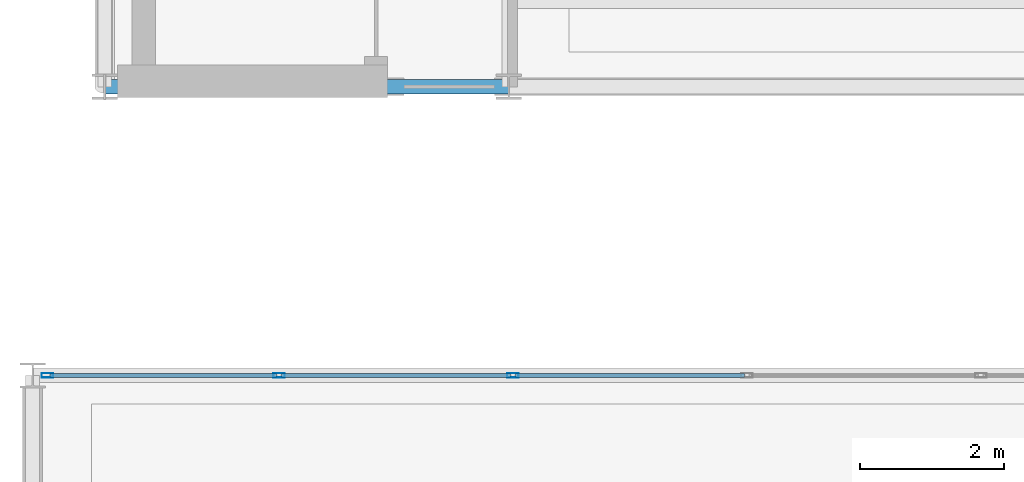
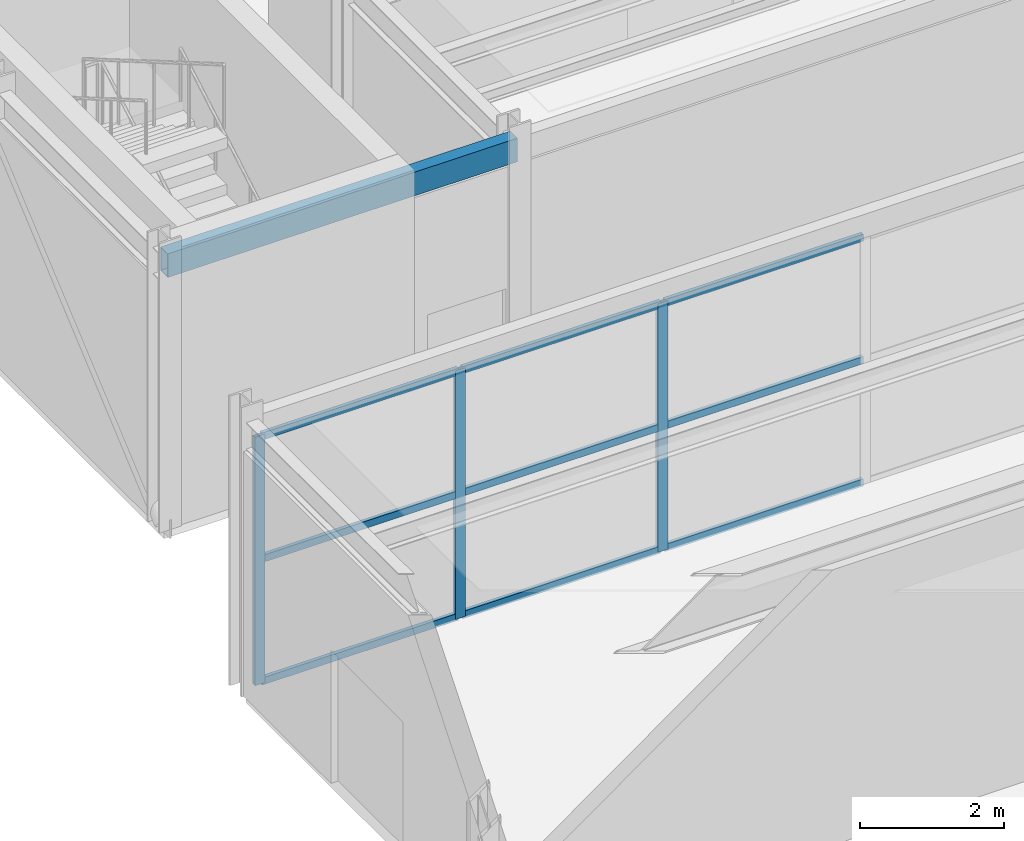
# One storey, part 19 of 144: 12 members, 1 beam, 1 element without a shape of its own.
"""IFC4 building model written with IfcOpenShell, lengths in metres."""

from ifc_helpers import new_model, si_unit, direction, frame, origin, origin_2d, place, context, subcontext, project, spatial, hollow_rectangle, extrude, material, material_profile, profile_set, type_object, element, aggregate, save


model = new_model("IFC4")

# Units and contexts
model_context = context("Model", 3, precision=1e-05, world=origin(), true_north=direction((0.0, 1.0)))
body_context = subcontext(model_context, "Body", "Model", "MODEL_VIEW")
ifc_project = project(units=[si_unit("LENGTHUNIT", "METRE"), si_unit("AREAUNIT", "SQUARE_METRE"), si_unit("VOLUMEUNIT", "CUBIC_METRE"), si_unit("PLANEANGLEUNIT", "RADIAN"), si_unit("MASSUNIT", "GRAM", prefix="KILO")], contexts=[model_context])

# Site, building, storey
site_placement = place(None, origin())
site = spatial("IfcSite", under=ifc_project, at=site_placement, CompositionType="ELEMENT")
building_placement = place(site_placement, origin())
building = spatial("IfcBuilding", under=site, at=building_placement, Name="Karori Crest Natural Sciences Institute", CompositionType="ELEMENT")
storey_placement = place(building_placement, origin())
storey = spatial("IfcBuildingStorey", under=building, at=storey_placement, Name="L00", CompositionType="ELEMENT", Elevation=0.0)

# Beam
ifc_material_1 = material(Name="Hollow structural steel AS/NZS 1163 Grade C350", Category="steel")
ifc_material_profile_1 = material_profile(ifc_material_1, hollow_rectangle(XDim=0.199951171875, YDim=0.39990234375, WallThickness=0.012451171875, at=origin_2d()), Name="RHS400x200x12.5")
ifc_profile_set_1 = profile_set([ifc_material_profile_1], Name="Hollow structural steel AS/NZS 1163 Grade C350")
beam_type = type_object("IfcBeamType", Name="BT-14", PredefinedType="SPANDREL", material=ifc_profile_set_1)
beam_placement = place(storey_placement, frame((1.800048828125, 31.199951171875, 4.419921875), z_axis=(1.0, 0.0, 0.0), x_axis=(0.0, 1.0, 0.0)))
element("IfcBeam", 1, at=beam_placement, inside=storey, type_object=beam_type, Name="Beam B-0940", PredefinedType="SPANDREL", context=body_context, shape_type="SweptSolid", body=[
    extrude(hollow_rectangle(XDim=0.199951171875, YDim=0.39990234375, WallThickness=0.012451171875, at=origin_2d()), origin(), (0.0, 0.0, 1.0), 5.599853515625),
])

# Curtain wall, members
ifc_material_2 = material(Name="Anodised architectural aluminium 6063-T6", Category="aluminium")
curtain_wall_type = type_object("IfcCurtainWallType", Name="CWT-16", PredefinedType="NOTDEFINED", material=ifc_material_2)
curtain_wall_placement = place(storey_placement, origin())
curtain_wall = element("IfcCurtainWall", 2, at=curtain_wall_placement, inside=storey, type_object=curtain_wall_type, Name="Curtain wall CW-0251", PredefinedType="NOTDEFINED")
ifc_material_profile_2 = material_profile(ifc_material_2, hollow_rectangle(XDim=0.06494140625, YDim=0.159912109375, WallThickness=0.00390625, at=origin_2d()), Name="CWM160x65x4")
ifc_profile_set_2 = profile_set([ifc_material_profile_2], Name="Anodised architectural aluminium 6063-T6")
member_type_1 = type_object("IfcMemberType", Name="CWM-01", PredefinedType="MULLION", material=ifc_profile_set_2)
member_1_placement = place(storey_placement, frame((1.005615234375, 27.199951171875, 0.0), z_axis=(0.0, 0.0, 1.0), x_axis=(0.0, 1.0, 0.0)))
member_1 = element("IfcMember", 3, at=member_1_placement, type_object=member_type_1, Name="CW-0251 mullion 1", PredefinedType="MULLION", context=body_context, shape_type="SweptSolid", body=[
    extrude(hollow_rectangle(XDim=0.06494140625, YDim=0.159912109375, WallThickness=0.00390625, at=origin_2d()), origin(), (0.0, 0.0, 1.0), 4.205078125),
])
member_2_placement = place(storey_placement, frame((4.21533203125, 27.199951171875, 0.0), z_axis=(0.0, 0.0, 1.0), x_axis=(0.0, 1.0, 0.0)))
member_2 = element("IfcMember", 4, at=member_2_placement, type_object=member_type_1, Name="CW-0251 mullion 2", PredefinedType="MULLION", context=body_context, shape_type="SweptSolid", body=[
    extrude(hollow_rectangle(XDim=0.06494140625, YDim=0.159912109375, WallThickness=0.00390625, at=origin_2d()), origin(), (0.0, 0.0, 1.0), 4.205078125),
])
member_3_placement = place(storey_placement, frame((7.457763671875, 27.199951171875, 0.0), z_axis=(0.0, 0.0, 1.0), x_axis=(0.0, 1.0, 0.0)))
member_3 = element("IfcMember", 5, at=member_3_placement, type_object=member_type_1, Name="CW-0251 mullion 3", PredefinedType="MULLION", context=body_context, shape_type="SweptSolid", body=[
    extrude(hollow_rectangle(XDim=0.06494140625, YDim=0.159912109375, WallThickness=0.00390625, at=origin_2d()), origin(), (0.0, 0.0, 1.0), 4.205078125),
])
ifc_material_profile_3 = material_profile(ifc_material_2, hollow_rectangle(XDim=0.06005859375, YDim=0.1201171875, WallThickness=0.00390625, at=origin_2d()), Name="CWT120x60x4")
ifc_profile_set_3 = profile_set([ifc_material_profile_3], Name="Anodised architectural aluminium 6063-T6")
member_type_2 = type_object("IfcMemberType", Name="CWT-TR1", PredefinedType="USERDEFINED", material=ifc_profile_set_3)
member_4_placement = place(storey_placement, frame((1.0380859375, 27.199951171875, 0.030029296875), z_axis=(1.0, 0.0, 0.0), x_axis=(0.0, 1.0, 0.0)))
member_4 = element("IfcMember", 6, at=member_4_placement, type_object=member_type_2, Name="CW-0251 transom 1.1", ObjectType="TRANSOM", PredefinedType="USERDEFINED", context=body_context, shape_type="SweptSolid", body=[
    extrude(hollow_rectangle(XDim=0.06005859375, YDim=0.1201171875, WallThickness=0.00390625, at=origin_2d()), origin(), (0.0, 0.0, 1.0), 3.144775390625),
])
member_5_placement = place(storey_placement, frame((1.0380859375, 27.199951171875, 2.1025390625), z_axis=(1.0, 0.0, 0.0), x_axis=(0.0, 1.0, 0.0)))
member_5 = element("IfcMember", 7, at=member_5_placement, type_object=member_type_2, Name="CW-0251 transom 1.2", ObjectType="TRANSOM", PredefinedType="USERDEFINED", context=body_context, shape_type="SweptSolid", body=[
    extrude(hollow_rectangle(XDim=0.06005859375, YDim=0.1201171875, WallThickness=0.00390625, at=origin_2d()), origin(), (0.0, 0.0, 1.0), 3.144775390625),
])
member_6_placement = place(storey_placement, frame((1.0380859375, 27.199951171875, 4.175048828125), z_axis=(1.0, 0.0, 0.0), x_axis=(0.0, 1.0, 0.0)))
member_6 = element("IfcMember", 8, at=member_6_placement, type_object=member_type_2, Name="CW-0251 transom 1.3", ObjectType="TRANSOM", PredefinedType="USERDEFINED", context=body_context, shape_type="SweptSolid", body=[
    extrude(hollow_rectangle(XDim=0.06005859375, YDim=0.1201171875, WallThickness=0.00390625, at=origin_2d()), origin(), (0.0, 0.0, 1.0), 3.144775390625),
])
member_7_placement = place(storey_placement, frame((4.247802734375, 27.199951171875, 0.030029296875), z_axis=(1.0, 0.0, 0.0), x_axis=(0.0, 1.0, 0.0)))
member_7 = element("IfcMember", 9, at=member_7_placement, type_object=member_type_2, Name="CW-0251 transom 2.1", ObjectType="TRANSOM", PredefinedType="USERDEFINED", context=body_context, shape_type="SweptSolid", body=[
    extrude(hollow_rectangle(XDim=0.06005859375, YDim=0.1201171875, WallThickness=0.00390625, at=origin_2d()), origin(), (0.0, 0.0, 1.0), 3.17724609375),
])
member_8_placement = place(storey_placement, frame((4.247802734375, 27.199951171875, 2.1025390625), z_axis=(1.0, 0.0, 0.0), x_axis=(0.0, 1.0, 0.0)))
member_8 = element("IfcMember", 10, at=member_8_placement, type_object=member_type_2, Name="CW-0251 transom 2.2", ObjectType="TRANSOM", PredefinedType="USERDEFINED", context=body_context, shape_type="SweptSolid", body=[
    extrude(hollow_rectangle(XDim=0.06005859375, YDim=0.1201171875, WallThickness=0.00390625, at=origin_2d()), origin(), (0.0, 0.0, 1.0), 3.17724609375),
])
member_9_placement = place(storey_placement, frame((4.247802734375, 27.199951171875, 4.175048828125), z_axis=(1.0, 0.0, 0.0), x_axis=(0.0, 1.0, 0.0)))
member_9 = element("IfcMember", 11, at=member_9_placement, type_object=member_type_2, Name="CW-0251 transom 2.3", ObjectType="TRANSOM", PredefinedType="USERDEFINED", context=body_context, shape_type="SweptSolid", body=[
    extrude(hollow_rectangle(XDim=0.06005859375, YDim=0.1201171875, WallThickness=0.00390625, at=origin_2d()), origin(), (0.0, 0.0, 1.0), 3.17724609375),
])
member_10_placement = place(storey_placement, frame((7.490234375, 27.199951171875, 0.030029296875), z_axis=(1.0, 0.0, 0.0), x_axis=(0.0, 1.0, 0.0)))
member_10 = element("IfcMember", 12, at=member_10_placement, type_object=member_type_2, Name="CW-0251 transom 3.1", ObjectType="TRANSOM", PredefinedType="USERDEFINED", context=body_context, shape_type="SweptSolid", body=[
    extrude(hollow_rectangle(XDim=0.06005859375, YDim=0.1201171875, WallThickness=0.00390625, at=origin_2d()), origin(), (0.0, 0.0, 1.0), 3.17724609375),
])
member_11_placement = place(storey_placement, frame((7.490234375, 27.199951171875, 2.1025390625), z_axis=(1.0, 0.0, 0.0), x_axis=(0.0, 1.0, 0.0)))
member_11 = element("IfcMember", 13, at=member_11_placement, type_object=member_type_2, Name="CW-0251 transom 3.2", ObjectType="TRANSOM", PredefinedType="USERDEFINED", context=body_context, shape_type="SweptSolid", body=[
    extrude(hollow_rectangle(XDim=0.06005859375, YDim=0.1201171875, WallThickness=0.00390625, at=origin_2d()), origin(), (0.0, 0.0, 1.0), 3.17724609375),
])
member_12_placement = place(storey_placement, frame((7.490234375, 27.199951171875, 4.175048828125), z_axis=(1.0, 0.0, 0.0), x_axis=(0.0, 1.0, 0.0)))
member_12 = element("IfcMember", 14, at=member_12_placement, type_object=member_type_2, Name="CW-0251 transom 3.3", ObjectType="TRANSOM", PredefinedType="USERDEFINED", context=body_context, shape_type="SweptSolid", body=[
    extrude(hollow_rectangle(XDim=0.06005859375, YDim=0.1201171875, WallThickness=0.00390625, at=origin_2d()), origin(), (0.0, 0.0, 1.0), 3.17724609375),
])
aggregate(curtain_wall, [member_1, member_2, member_3, member_4, member_5, member_6, member_7, member_8, member_9, member_10, member_11, member_12])

save(model, "model.ifc")
